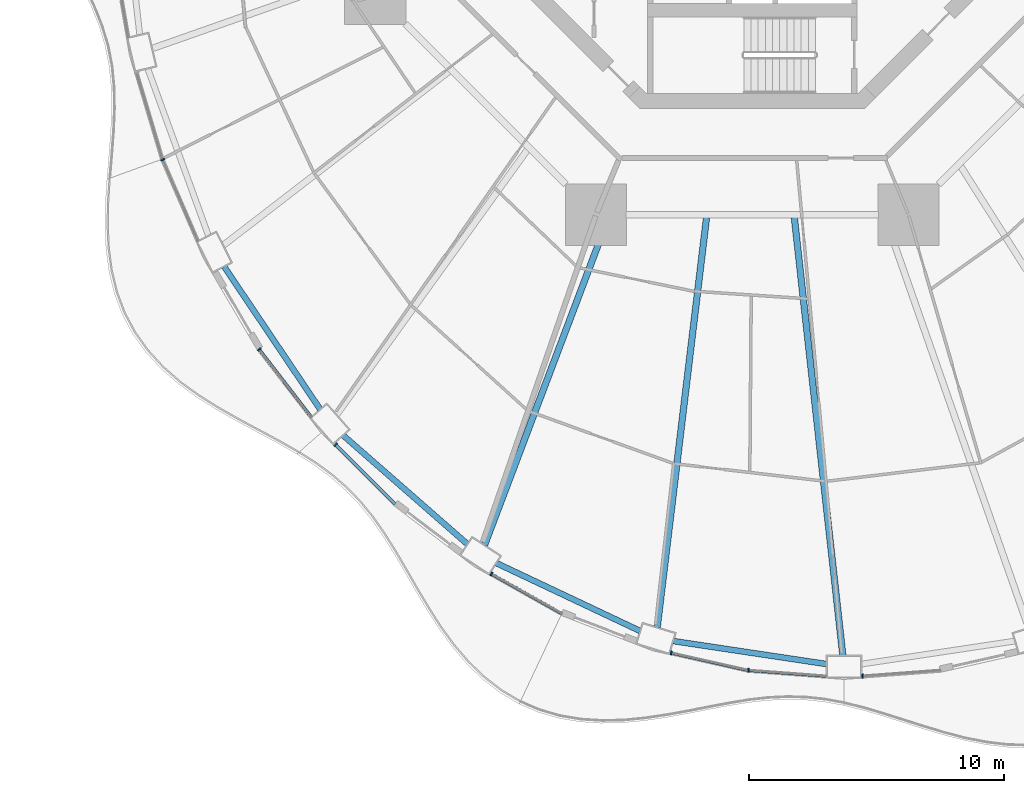
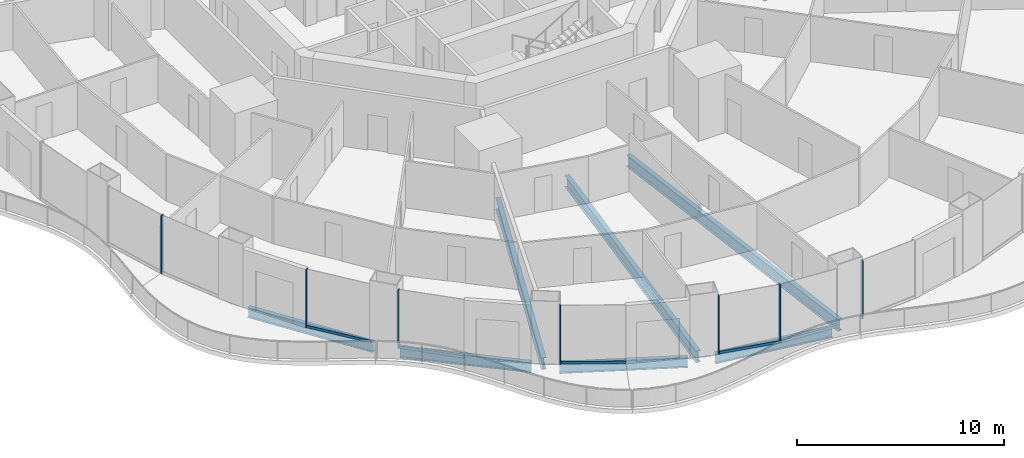
# One storey, part 2 of 22: 12 members, 7 beams, 7 elements without a shape of their own.
"""IFC4 building model written with IfcOpenShell, lengths in metres."""

from ifc_helpers import new_model, si_unit, direction, frame, origin, origin_2d, place, context, subcontext, project, spatial, rectangle, i_section, extrude, material, layer, layer_set, material_profile, profile_set, type_object, element, aggregate, save


model = new_model("IFC4")

# Units and contexts
model_context = context("Model", 3, precision=1e-05, world=origin(), true_north=direction((0.0, 1.0)))
body_context = subcontext(model_context, "Body", "Model", "MODEL_VIEW")
ifc_project = project(units=[si_unit("LENGTHUNIT", "METRE"), si_unit("AREAUNIT", "SQUARE_METRE"), si_unit("VOLUMEUNIT", "CUBIC_METRE"), si_unit("PLANEANGLEUNIT", "RADIAN"), si_unit("MASSUNIT", "GRAM", prefix="KILO")], contexts=[model_context])

# Site, building, storey
site_placement = place(None, origin())
site = spatial("IfcSite", under=ifc_project, at=site_placement, CompositionType="ELEMENT")
building_placement = place(site_placement, origin())
building = spatial("IfcBuilding", under=site, at=building_placement, Name="Nagisa Residences", CompositionType="ELEMENT")
storey_placement = place(building_placement, frame((0.0, 0.0, 34.39990234375)))
storey = spatial("IfcBuildingStorey", under=building, at=storey_placement, Name="L07", CompositionType="ELEMENT", Elevation=34.39990234375)

# Curtain wall, member
ifc_material_1 = material(Name="Concrete-coloured aluminium curtain wall system", Category="concrete")
ifc_layer = layer(ifc_material_1, 0.159912109375)
ifc_layer_set = layer_set([ifc_layer], Name="CW1 CURTAIN WALL")
curtain_wall_type = type_object("IfcCurtainWallType", Name="CW1 CURTAIN WALL", PredefinedType="NOTDEFINED", material=ifc_layer_set)
curtain_wall_1_placement = place(storey_placement, origin())
curtain_wall_1 = element("IfcCurtainWall", 1, at=curtain_wall_1_placement, inside=storey, type_object=curtain_wall_type, Name="cw:CW1:L07:27", PredefinedType="NOTDEFINED")
ifc_material_2 = material(Name="Concrete-coloured aluminium", Category="concrete")
ifc_material_profile_1 = material_profile(ifc_material_2, rectangle(XDim=0.159912109375, YDim=0.06005859375, at=origin_2d()), Name="CW1 MULLION 160x60")
ifc_profile_set_1 = profile_set([ifc_material_profile_1], Name="Concrete-coloured aluminium")
member_type_1 = type_object("IfcMemberType", Name="CW1 MULLION 160x60", PredefinedType="MULLION", material=ifc_profile_set_1)
member_1_placement = place(storey_placement, frame((-23.107177734375, -12.624267578125, 0.0), z_axis=(0.0, 0.0, 1.0), x_axis=(0.917543276295, 0.397635934147, 0.0)))
member_1 = element("IfcMember", 2, at=member_1_placement, type_object=member_type_1, Name="CW1 mullion", PredefinedType="MULLION", context=body_context, shape_type="SweptSolid", body=[
    extrude(rectangle(XDim=0.159912109375, YDim=0.06005859375, at=origin_2d()), origin(), (0.0, 0.0, 1.0), 3.440185546875),
])
aggregate(curtain_wall_1, [member_1])

curtain_wall_2_placement = place(storey_placement, origin())
curtain_wall_2 = element("IfcCurtainWall", 3, at=curtain_wall_2_placement, inside=storey, type_object=curtain_wall_type, Name="cw:CW1:L07:29", PredefinedType="NOTDEFINED")
member_2_placement = place(storey_placement, frame((-19.32568359375, -20.06396484375, 0.0), z_axis=(0.0, 0.0, 1.0), x_axis=(0.792070340816, 0.610429828235, 0.0)))
member_2 = element("IfcMember", 4, at=member_2_placement, type_object=member_type_1, Name="CW1 mullion", PredefinedType="MULLION", context=body_context, shape_type="SweptSolid", body=[
    extrude(rectangle(XDim=0.159912109375, YDim=0.06005859375, at=origin_2d()), origin(), (0.0, 0.0, 1.0), 3.440185546875),
])

curtain_wall_3_placement = place(storey_placement, origin())
curtain_wall_3 = element("IfcCurtainWall", 5, at=curtain_wall_3_placement, inside=storey, type_object=curtain_wall_type, Name="cw:CW1:L07:30", PredefinedType="NOTDEFINED")
member_3_placement = place(storey_placement, frame((-16.332763671875, -23.79345703125, 0.0), z_axis=(0.0, 0.0, 1.0), x_axis=(0.706376885714, 0.707835924016, 0.0)))
member_3 = element("IfcMember", 6, at=member_3_placement, type_object=member_type_1, Name="CW1 mullion", PredefinedType="MULLION", context=body_context, shape_type="SweptSolid", body=[
    extrude(rectangle(XDim=0.159912109375, YDim=0.06005859375, at=origin_2d()), origin(), (0.0, 0.0, 1.0), 3.440185546875),
])

curtain_wall_4_placement = place(storey_placement, origin())
curtain_wall_4 = element("IfcCurtainWall", 7, at=curtain_wall_4_placement, inside=storey, type_object=curtain_wall_type, Name="cw:CW1:L07:32", PredefinedType="NOTDEFINED")
member_4_placement = place(storey_placement, frame((-10.22412109375, -28.8662109375, 0.0), z_axis=(0.0, 0.0, 1.0), x_axis=(0.489376918501, 0.872072377523, 0.0)))
member_4 = element("IfcMember", 8, at=member_4_placement, type_object=member_type_1, Name="CW1 mullion", PredefinedType="MULLION", context=body_context, shape_type="SweptSolid", body=[
    extrude(rectangle(XDim=0.159912109375, YDim=0.06005859375, at=origin_2d()), origin(), (0.0, 0.0, 1.0), 3.440185546875),
])

curtain_wall_5_placement = place(storey_placement, origin())
curtain_wall_5 = element("IfcCurtainWall", 9, at=curtain_wall_5_placement, inside=storey, type_object=curtain_wall_type, Name="cw:CW1:L07:34", PredefinedType="NOTDEFINED")
member_5_placement = place(storey_placement, frame((-3.176025390625, -31.958740234375, 0.0), z_axis=(0.0, 0.0, 1.0), x_axis=(0.2207639201, 0.975327274089, 0.0)))
member_5 = element("IfcMember", 10, at=member_5_placement, type_object=member_type_1, Name="CW1 mullion", PredefinedType="MULLION", context=body_context, shape_type="SweptSolid", body=[
    extrude(rectangle(XDim=0.159912109375, YDim=0.06005859375, at=origin_2d()), origin(), (0.0, 0.0, 1.0), 3.440185546875),
])

curtain_wall_6_placement = place(storey_placement, origin())
curtain_wall_6 = element("IfcCurtainWall", 11, at=curtain_wall_6_placement, inside=storey, type_object=curtain_wall_type, Name="cw:CW1:L07:35", PredefinedType="NOTDEFINED")
member_6_placement = place(storey_placement, frame((-0.1494140625, -32.64013671875, 0.0), z_axis=(0.0, 0.0, 1.0), x_axis=(0.074377355493, 0.997230168512, 0.0)))
member_6 = element("IfcMember", 12, at=member_6_placement, type_object=member_type_1, Name="CW1 mullion", PredefinedType="MULLION", context=body_context, shape_type="SweptSolid", body=[
    extrude(rectangle(XDim=0.159912109375, YDim=0.06005859375, at=origin_2d()), origin(), (0.0, 0.0, 1.0), 3.440185546875),
])

curtain_wall_7_placement = place(storey_placement, origin())
curtain_wall_7 = element("IfcCurtainWall", 13, at=curtain_wall_7_placement, inside=storey, type_object=curtain_wall_type, Name="cw:CW1:L07:36", PredefinedType="NOTDEFINED")
member_7_placement = place(storey_placement, frame((4.322021484375, -32.865966796875, 0.0), z_axis=(0.0, 0.0, 1.0), x_axis=(-0.074377355493, 0.997230168512, 0.0)))
member_7 = element("IfcMember", 14, at=member_7_placement, type_object=member_type_1, Name="CW1 mullion", PredefinedType="MULLION", context=body_context, shape_type="SweptSolid", body=[
    extrude(rectangle(XDim=0.159912109375, YDim=0.06005859375, at=origin_2d()), origin(), (0.0, 0.0, 1.0), 3.440185546875),
])
aggregate(curtain_wall_7, [member_7])

# Member
ifc_material_3 = material(Name="Concrete-coloured aluminium", Category="concrete")
ifc_material_profile_2 = material_profile(ifc_material_3, rectangle(XDim=0.1201171875, YDim=0.14990234375, at=origin_2d()), Name="CW1 TRANSOM 120x150")
ifc_profile_set_2 = profile_set([ifc_material_profile_2], Name="Concrete-coloured aluminium")
member_type_2 = type_object("IfcMemberType", Name="CW1 TRANSOM 120x150", PredefinedType="USERDEFINED", material=ifc_profile_set_2)
member_8_placement = place(storey_placement, frame((-19.343994140625, -20.040283203125, 0.0751953125), z_axis=(0.610457147657, -0.792049285635, 0.0), x_axis=(0.792049285635, 0.610457147657, 0.0)))
member_8 = element("IfcMember", 15, at=member_8_placement, type_object=member_type_2, Name="CW1 transom", ObjectType="TRANSOM", PredefinedType="USERDEFINED", context=body_context, shape_type="SweptSolid", body=[
    extrude(rectangle(XDim=0.1201171875, YDim=0.14990234375, at=origin_2d()), origin(), (0.0, 0.0, 1.0), 3.3974609375),
])

aggregate(curtain_wall_2, [member_2, member_8])

member_9_placement = place(storey_placement, frame((-16.35400390625, -23.7724609375, 0.0751953125), z_axis=(0.707839761606, -0.706373040177, 0.0), x_axis=(0.706373040177, 0.707839761606, 0.0)))
member_9 = element("IfcMember", 16, at=member_9_placement, type_object=member_type_2, Name="CW1 transom", ObjectType="TRANSOM", PredefinedType="USERDEFINED", context=body_context, shape_type="SweptSolid", body=[
    extrude(rectangle(XDim=0.1201171875, YDim=0.14990234375, at=origin_2d()), origin(), (0.0, 0.0, 1.0), 3.3291015625),
])

aggregate(curtain_wall_3, [member_3, member_9])

member_10_placement = place(storey_placement, frame((-10.25048828125, -28.8515625, 0.0751953125), z_axis=(0.872070011948, -0.489381133946, 0.0), x_axis=(0.489381133946, 0.872070011948, 0.0)))
member_10 = element("IfcMember", 17, at=member_10_placement, type_object=member_type_2, Name="CW1 transom", ObjectType="TRANSOM", PredefinedType="USERDEFINED", context=body_context, shape_type="SweptSolid", body=[
    extrude(rectangle(XDim=0.1201171875, YDim=0.14990234375, at=origin_2d()), origin(), (0.0, 0.0, 1.0), 3.201171875),
])

aggregate(curtain_wall_4, [member_4, member_10])

member_11_placement = place(storey_placement, frame((-3.205322265625, -31.9521484375, 0.0751953125), z_axis=(0.97533495413, -0.220729987208, 0.0), x_axis=(0.220729987208, 0.97533495413, 0.0)))
member_11 = element("IfcMember", 18, at=member_11_placement, type_object=member_type_2, Name="CW1 transom", ObjectType="TRANSOM", PredefinedType="USERDEFINED", context=body_context, shape_type="SweptSolid", body=[
    extrude(rectangle(XDim=0.1201171875, YDim=0.14990234375, at=origin_2d()), origin(), (0.0, 0.0, 1.0), 3.11474609375),
])

aggregate(curtain_wall_5, [member_5, member_11])

member_12_placement = place(storey_placement, frame((-0.17919921875, -32.637939453125, 0.0751953125), z_axis=(0.997230834878, -0.074368420505, 0.0), x_axis=(0.074368420505, 0.997230834878, 0.0)))
member_12 = element("IfcMember", 19, at=member_12_placement, type_object=member_type_2, Name="CW1 transom", ObjectType="TRANSOM", PredefinedType="USERDEFINED", context=body_context, shape_type="SweptSolid", body=[
    extrude(rectangle(XDim=0.1201171875, YDim=0.14990234375, at=origin_2d()), origin(), (0.0, 0.0, 1.0), 3.095703125),
])

aggregate(curtain_wall_6, [member_6, member_12])

# Beams
ifc_material_4 = material(Name="Steel ASTM A572 Gr 50", Category="steel")
ifc_material_profile_3 = material_profile(ifc_material_4, i_section(OverallWidth=0.22802734375, OverallDepth=0.60302734375, WebThickness=0.010498046875, FlangeThickness=0.014892578125, at=origin_2d()), Name="W610x101")
ifc_profile_set_3 = profile_set([ifc_material_profile_3], Name="Steel ASTM A572 Gr 50")
beam_type_1 = type_object("IfcBeamType", Name="Perimeter ring beam W610x101", PredefinedType="BEAM", material=ifc_profile_set_3)
beam_1_placement = place(storey_placement, frame((-20.69921875, -16.818603515625, -0.5615234375), z_axis=(0.558296806041, -0.829641293792, 0.0), x_axis=(0.829641293792, 0.558296806041, 0.0)))
element("IfcBeam", 20, at=beam_1_placement, inside=storey, type_object=beam_type_1, Name="beam:L07:pb15", PredefinedType="BEAM", context=body_context, shape_type="SweptSolid", body=[
    extrude(i_section(OverallWidth=0.22802734375, OverallDepth=0.60302734375, WebThickness=0.010498046875, FlangeThickness=0.014892578125, at=origin_2d()), origin(), (0.0, 0.0, 1.0), 6.74169921875),
])
beam_2_placement = place(storey_placement, frame((-16.0361328125, -23.432861328125, -0.5615234375), z_axis=(0.752574357292, -0.658507279191, 0.0), x_axis=(0.658507279191, 0.752574357292, 0.0)))
element("IfcBeam", 21, at=beam_2_placement, inside=storey, type_object=beam_type_1, Name="beam:L07:pb16", PredefinedType="BEAM", context=body_context, shape_type="SweptSolid", body=[
    extrude(i_section(OverallWidth=0.22802734375, OverallDepth=0.60302734375, WebThickness=0.010498046875, FlangeThickness=0.014892578125, at=origin_2d()), origin(), (0.0, 0.0, 1.0), 6.47021484375),
])
beam_3_placement = place(storey_placement, frame((-10.02880859375, -28.439208984375, -0.5615234375), z_axis=(0.904208275867, -0.427091786216, 0.0), x_axis=(0.427091786216, 0.904208275867, 0.0)))
element("IfcBeam", 22, at=beam_3_placement, inside=storey, type_object=beam_type_1, Name="beam:L07:pb17", PredefinedType="BEAM", context=body_context, shape_type="SweptSolid", body=[
    extrude(i_section(OverallWidth=0.22802734375, OverallDepth=0.60302734375, WebThickness=0.010498046875, FlangeThickness=0.014892578125, at=origin_2d()), origin(), (0.0, 0.0, 1.0), 6.227294921875),
])
beam_4_placement = place(storey_placement, frame((-3.096435546875, -31.49462890625, -0.5615234375), z_axis=(0.988914559467, -0.14848566959, 0.0), x_axis=(0.14848566959, 0.988914559467, 0.0)))
element("IfcBeam", 23, at=beam_4_placement, inside=storey, type_object=beam_type_1, Name="beam:L07:pb18", PredefinedType="BEAM", context=body_context, shape_type="SweptSolid", body=[
    extrude(i_section(OverallWidth=0.22802734375, OverallDepth=0.60302734375, WebThickness=0.010498046875, FlangeThickness=0.014892578125, at=origin_2d()), origin(), (0.0, 0.0, 1.0), 6.08349609375),
])
ifc_material_5 = material(Name="Steel ASTM A572 Gr 50", Category="steel")
ifc_material_profile_4 = material_profile(ifc_material_5, i_section(OverallWidth=0.25390625, OverallDepth=0.68408203125, WebThickness=0.012451171875, FlangeThickness=0.018798828125, at=origin_2d()), Name="W690x140")
ifc_profile_set_4 = profile_set([ifc_material_profile_4], Name="Steel ASTM A572 Gr 50")
beam_type_2 = type_object("IfcBeamType", Name="Radial beam W690x140", PredefinedType="BEAM", material=ifc_profile_set_4)
beam_5_placement = place(storey_placement, frame((-10.493896484375, -27.7333984375, -0.601806640625), z_axis=(0.353887892206, 0.935287848606, 0.0), x_axis=(-0.935287848606, 0.353887892206, 0.0)))
element("IfcBeam", 24, at=beam_5_placement, inside=storey, type_object=beam_type_2, Name="beam:L07:rb17", PredefinedType="BEAM", context=body_context, shape_type="SweptSolid", body=[
    extrude(i_section(OverallWidth=0.25390625, OverallDepth=0.68408203125, WebThickness=0.012451171875, FlangeThickness=0.018798828125, at=origin_2d()), origin(), (0.0, 0.0, 1.0), 13.725830078125),
])
beam_6_placement = place(storey_placement, frame((-3.72412109375, -30.958740234375, -0.601806640625), z_axis=(0.119431411612, 0.992842453726, 0.0), x_axis=(-0.992842453726, 0.119431411612, 0.0)))
element("IfcBeam", 25, at=beam_6_placement, inside=storey, type_object=beam_type_2, Name="beam:L07:rb18", PredefinedType="BEAM", context=body_context, shape_type="SweptSolid", body=[
    extrude(i_section(OverallWidth=0.25390625, OverallDepth=0.68408203125, WebThickness=0.012451171875, FlangeThickness=0.018798828125, at=origin_2d()), origin(), (0.0, 0.0, 1.0), 16.1796875),
])
beam_7_placement = place(storey_placement, frame((3.55224609375, -32.06982421875, -0.601806640625), z_axis=(-0.110088818647, 0.993921753464, 0.0), x_axis=(-0.993921753464, -0.110088818647, 0.0)))
element("IfcBeam", 26, at=beam_7_placement, inside=storey, type_object=beam_type_2, Name="beam:L07:rb19", PredefinedType="BEAM", context=body_context, shape_type="SweptSolid", body=[
    extrude(i_section(OverallWidth=0.25390625, OverallDepth=0.68408203125, WebThickness=0.012451171875, FlangeThickness=0.018798828125, at=origin_2d()), origin(), (0.0, 0.0, 1.0), 17.280029296875),
])

save(model, "model.ifc")
